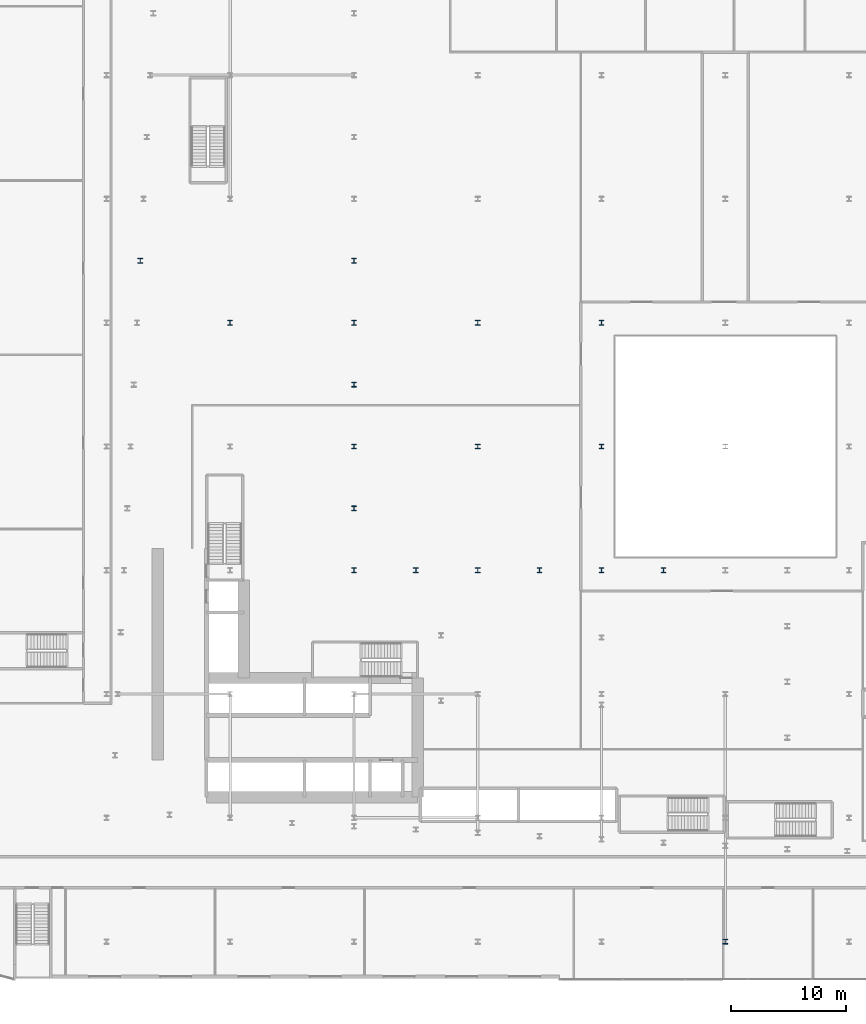
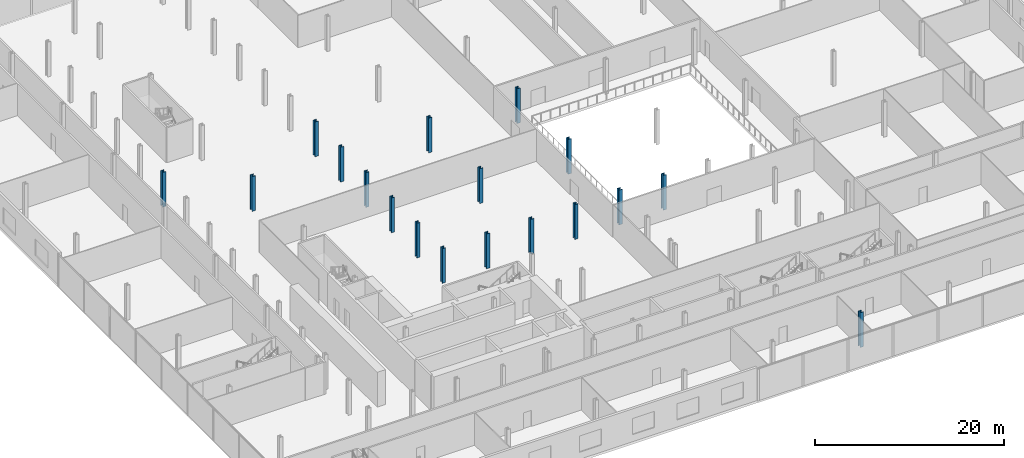
# One storey, part 2 of 47: 18 columns.
"""IFC4 building model written with IfcOpenShell, lengths in metres."""

from ifc_helpers import new_model, si_unit, direction, frame, origin, origin_2d, place, context, subcontext, project, spatial, i_section, extrude, material, material_profile, profile_set, type_object, element, save


model = new_model("IFC4")

# Units and contexts
model_context = context("Model", 3, precision=1e-05, world=origin(), true_north=direction((0.0, 1.0)))
body_context = subcontext(model_context, "Body", "Model", "MODEL_VIEW")
ifc_project = project(units=[si_unit("LENGTHUNIT", "METRE"), si_unit("AREAUNIT", "SQUARE_METRE"), si_unit("VOLUMEUNIT", "CUBIC_METRE"), si_unit("PLANEANGLEUNIT", "RADIAN"), si_unit("MASSUNIT", "GRAM", prefix="KILO")], contexts=[model_context])

# Site, building, storey
site_placement = place(None, origin())
site = spatial("IfcSite", under=ifc_project, at=site_placement, CompositionType="ELEMENT")
building_placement = place(site_placement, origin())
building = spatial("IfcBuilding", under=site, at=building_placement, Name="Kheshtan School and Residences Tower", CompositionType="ELEMENT")
storey_placement = place(building_placement, frame((0.0, 0.0, 12.5)))
storey = spatial("IfcBuildingStorey", under=building, at=storey_placement, Name="L02", CompositionType="ELEMENT", Elevation=12.5)

# Columns
ifc_material = material(Name="Steel ASTM A992 Grade 50", Category="steel")
ifc_material_profile = material_profile(ifc_material, i_section(OverallWidth=0.408935546875, OverallDepth=0.425048828125, WebThickness=0.03271484375, FlangeThickness=0.052490234375, FilletRadius=0.0126953125, at=origin_2d()), Name="W360x421")
ifc_profile_set = profile_set([ifc_material_profile], Name="Steel ASTM A992 Grade 50")
column_type = type_object("IfcColumnType", Name="Column PC2 W360x421 ASTM A992 Grade 50", PredefinedType="COLUMN", material=ifc_profile_set)
for number, where, z_axis, x_axis, name in (
    (1, (80.0, 13.199951171875, 0.0), (0.0, 0.0, 1.0), (1.0, 0.0, 0.0), "Column P-007"),
    (2, (47.60009765625, 45.60009765625, 0.0), (0.0, 0.0, 1.0), (1.0, 0.0, 0.0), "Column P-040"),
    (3, (58.39990234375, 45.60009765625, 0.0), (0.0, 0.0, 1.0), (1.0, 0.0, 0.0), "Column P-041"),
    (4, (69.199951171875, 45.60009765625, 0.0), (0.0, 0.0, 1.0), (1.0, 0.0, 0.0), "Column P-042"),
    (5, (47.60009765625, 56.39990234375, 0.0), (0.0, 0.0, 1.0), (1.0, 0.0, 0.0), "Column P-052"),
    (6, (58.39990234375, 56.39990234375, 0.0), (0.0, 0.0, 1.0), (1.0, 0.0, 0.0), "Column P-053"),
    (7, (69.199951171875, 56.39990234375, 0.0), (0.0, 0.0, 1.0), (1.0, 0.0, 0.0), "Column P-054"),
    (8, (36.800048828125, 67.199951171875, 0.0), (0.0, 0.0, 1.0), (1.0, 0.0, 0.0), "Column P-063"),
    (9, (47.60009765625, 67.199951171875, 0.0), (0.0, 0.0, 1.0), (1.0, 0.0, 0.0), "Column P-064"),
    (10, (58.39990234375, 67.199951171875, 0.0), (0.0, 0.0, 1.0), (1.0, 0.0, 0.0), "Column P-065"),
    (11, (69.199951171875, 67.199951171875, 0.0), (0.0, 0.0, 1.0), (1.0, 0.0, 0.0), "Column P-066"),
    (12, (53.0, 45.60009765625, 0.0), (0.0, 0.0, 1.0), (1.0, 0.0, 0.0), "Transfer column X16"),
    (13, (63.800048828125, 45.60009765625, 0.0), (0.0, 0.0, 1.0), (1.0, 0.0, 0.0), "Transfer column X17"),
    (14, (74.60009765625, 45.60009765625, 0.0), (0.0, 0.0, 1.0), (1.0, 0.0, 0.0), "Transfer column X18"),
    (15, (47.60009765625, 51.0, 0.0), (0.0, 0.0, 1.0), (1.0, 0.0, 0.0), "Transfer column X21"),
    (16, (47.60009765625, 61.800048828125, 0.0), (0.0, 0.0, 1.0), (1.0, 0.0, 0.0), "Transfer column X24"),
    (17, (28.9599609375, 72.60009765625, 0.0), (0.0, 0.0, 1.0), (1.0, 0.0, 0.0), "Transfer column X26"),
    (18, (47.60009765625, 72.60009765625, 0.0), (0.0, 0.0, 1.0), (1.0, 0.0, 0.0), "Transfer column X27"),
):
    element("IfcColumn", number, at=place(storey_placement, frame(where, z_axis=z_axis, x_axis=x_axis)), inside=storey, type_object=column_type, Name=name, PredefinedType="COLUMN", context=body_context, shape_type="SweptSolid", body=[
        extrude(i_section(OverallWidth=0.408935546875, OverallDepth=0.425048828125, WebThickness=0.03271484375, FlangeThickness=0.052490234375, FilletRadius=0.0126953125, at=origin_2d()), origin(), (0.0, 0.0, 1.0), 4.5),
    ])

save(model, "model.ifc")
